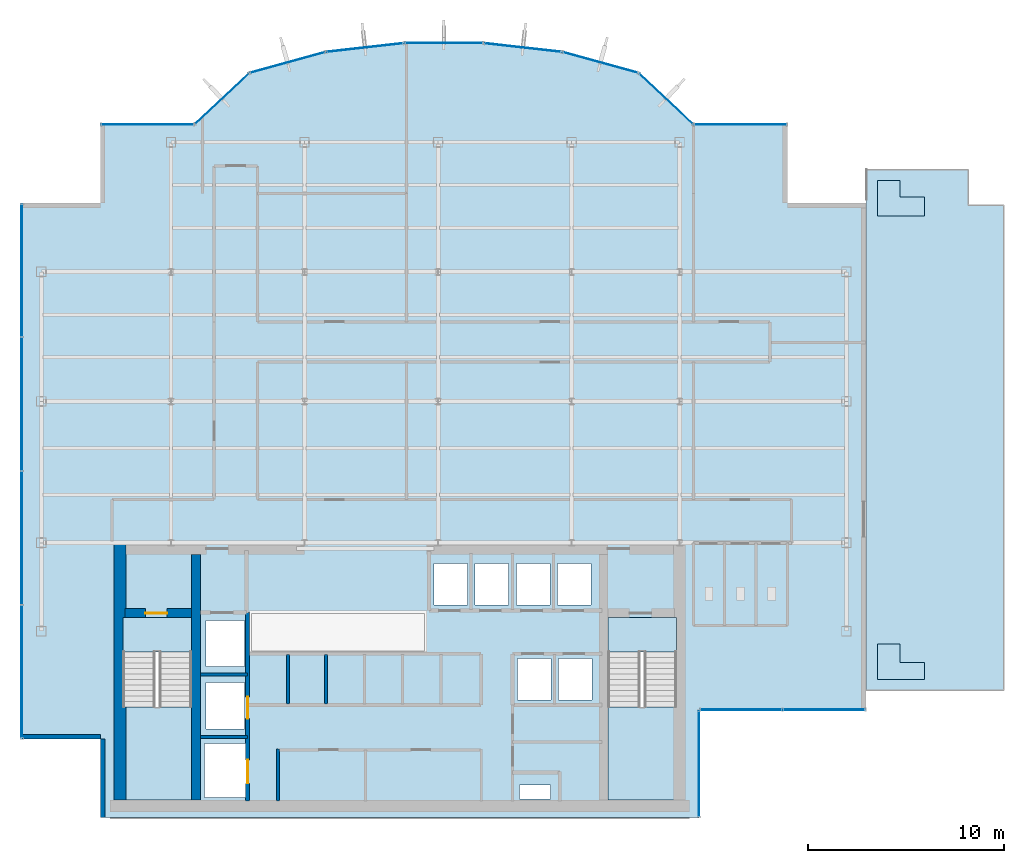
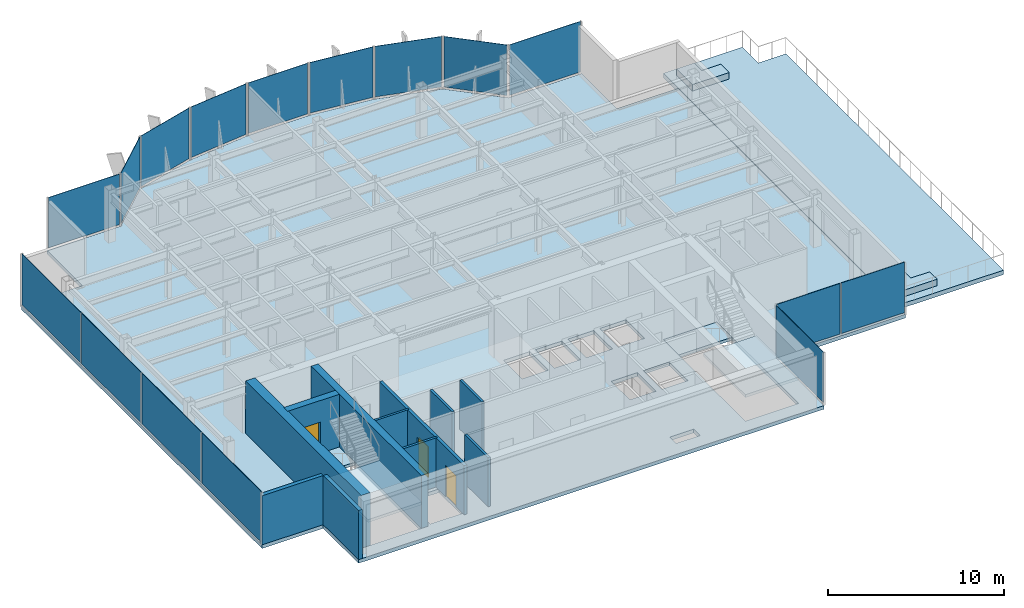
# One storey, part 15 of 21: 16 plates, 11 walls, 8 slabs, 3 doors, 3 openings, 14 elements without a shape of their own.
"""IFC4 building model written with IfcOpenShell, lengths in metres."""

from ifc_helpers import new_model, si_unit, derived_unit, direction, frame, frame_2d, origin, origin_2d, place, context, subcontext, project, spatial, polyline, rectangle, outline, extrude, source, transform, mapped, material, layer, layer_set, type_object, element, fill, aggregate, save


model = new_model("IFC4")

# Units and contexts
model_context = context("Model", 3, precision=1e-05, world=origin(), true_north=direction((0.0, 1.0)))
body_context = subcontext(model_context, "Body", "Model", "MODEL_VIEW")
ifc_project = project(units=[si_unit("LENGTHUNIT", "METRE"), si_unit("AREAUNIT", "SQUARE_METRE"), si_unit("VOLUMEUNIT", "CUBIC_METRE"), si_unit("PLANEANGLEUNIT", "RADIAN"), si_unit("MASSUNIT", "GRAM", prefix="KILO"), derived_unit("THERMALTRANSMITTANCEUNIT", [(si_unit("POWERUNIT", "WATT"), 1), (si_unit("LENGTHUNIT", "METRE"), -2), (si_unit("THERMODYNAMICTEMPERATUREUNIT", "KELVIN"), -1)])], contexts=[model_context])

# Site, building, storey
site_placement = place(None, origin())
site = spatial("IfcSite", under=ifc_project, at=site_placement, CompositionType="ELEMENT")
building_placement = place(site_placement, origin())
building = spatial("IfcBuilding", under=site, at=building_placement, Name="Skarnbrae Concourse Arena and Tower", CompositionType="ELEMENT")
storey_placement = place(building_placement, frame((0.0, 0.0, 188.60009765625)))
storey = spatial("IfcBuildingStorey", under=building, at=storey_placement, Name="L48", CompositionType="ELEMENT", Elevation=188.60009765625)

# Stair, slab
ifc_material_1 = material(Name="Concrete 40 MPa (C40/50)", Category="concrete")
stair_type = type_object("IfcStairType", Name="STAIR-DOGLEG-1650", PredefinedType="HALF_TURN_STAIR", material=ifc_material_1)
stair_1_placement = place(storey_placement, origin())
stair_1 = element("IfcStair", 1, at=stair_1_placement, inside=storey, type_object=stair_type, Name="L48 Protected Exit Stair ST-1", PredefinedType="HALF_TURN_STAIR")
ifc_layer_1 = layer(ifc_material_1, 0.199951171875)
ifc_layer_set_1 = layer_set([ifc_layer_1], Name="Concrete 40 MPa (C40/50)")
slab_type_1 = type_object("IfcSlabType", Name="SLAB-LANDING-200", PredefinedType="LANDING", material=ifc_layer_set_1)
slab_1_placement = place(storey_placement, frame((0.0, 0.0, 1.625)))
slab_1 = element("IfcSlab", 2, at=slab_1_placement, type_object=slab_type_1, Name="ST-1 landing 1", PredefinedType="LANDING", context=body_context, shape_type="SweptSolid", body=[
    extrude(outline(polyline([(5.14990234375, 5.64990234375), (5.14990234375, 0.89990234375), (8.64990234375, 0.89990234375), (8.64990234375, 5.64990234375), (5.14990234375, 5.64990234375)])), origin(), (0.0, 0.0, 1.0), 0.199951171875),
])
aggregate(stair_1, [slab_1])

stair_2_placement = place(storey_placement, origin())
stair_2 = element("IfcStair", 3, at=stair_2_placement, inside=storey, type_object=stair_type, Name="L48 Protected Exit Stair ST-2", PredefinedType="HALF_TURN_STAIR")
slab_2_placement = place(storey_placement, frame((0.0, 0.0, 1.625)))
slab_2 = element("IfcSlab", 4, at=slab_2_placement, type_object=slab_type_1, Name="ST-2 landing 1", PredefinedType="LANDING", context=body_context, shape_type="SweptSolid", body=[
    extrude(outline(polyline([(29.85009765625, 5.64990234375), (29.85009765625, 0.89990234375), (33.35009765625, 0.89990234375), (33.35009765625, 5.64990234375), (29.85009765625, 5.64990234375)])), origin(), (0.0, 0.0, 1.0), 0.199951171875),
])
aggregate(stair_2, [slab_2])

# Slabs
slab_3_placement = place(storey_placement, frame((0.0, 0.0, -0.2001953125)))
element("IfcSlab", 5, at=slab_3_placement, inside=storey, type_object=slab_type_1, Name="L48 Core stair ST1 floor landing", PredefinedType="LANDING", context=body_context, shape_type="SweptSolid", body=[
    extrude(outline(polyline([(5.14990234375, 10.199951171875), (5.14990234375, 8.449951171875), (8.64990234375, 8.449951171875), (8.64990234375, 10.199951171875), (5.14990234375, 10.199951171875)])), origin(), (0.0, 0.0, 1.0), 0.2001953125),
])
slab_4_placement = place(storey_placement, frame((0.0, 0.0, -0.2001953125)))
element("IfcSlab", 6, at=slab_4_placement, inside=storey, type_object=slab_type_1, Name="L48 Core stair ST2 floor landing", PredefinedType="LANDING", context=body_context, shape_type="SweptSolid", body=[
    extrude(outline(polyline([(29.85009765625, 10.199951171875), (29.85009765625, 8.449951171875), (33.35009765625, 8.449951171875), (33.35009765625, 10.199951171875), (29.85009765625, 10.199951171875)])), origin(), (0.0, 0.0, 1.0), 0.2001953125),
])
ifc_layer_2 = layer(ifc_material_1, 0.449951171875)
ifc_layer_set_2 = layer_set([ifc_layer_2], Name="Concrete 40 MPa (C40/50)")
slab_type_2 = type_object("IfcSlabType", Name="SLAB-PLANTER-450", PredefinedType="USERDEFINED", material=ifc_layer_set_2)
slab_5_placement = place(storey_placement, origin())
element("IfcSlab", 7, at=slab_5_placement, inside=storey, type_object=slab_type_2, Name="L48 Setback terrace L-shaped planter bed 01", ObjectType="PLANTER", PredefinedType="USERDEFINED", context=body_context, shape_type="SweptSolid", body=[
    extrude(outline(polyline([(43.570068359375, 7.050048828125), (45.969970703125, 7.050048828125), (45.969970703125, 7.89990234375), (44.719970703125, 7.89990234375), (44.719970703125, 8.85009765625), (43.570068359375, 8.85009765625), (43.570068359375, 7.050048828125)])), origin(), (0.0, 0.0, 1.0), 0.449951171875),
])
slab_6_placement = place(storey_placement, origin())
element("IfcSlab", 8, at=slab_6_placement, inside=storey, type_object=slab_type_2, Name="L48 Setback terrace L-shaped planter bed 02", ObjectType="PLANTER", PredefinedType="USERDEFINED", context=body_context, shape_type="SweptSolid", body=[
    extrude(outline(polyline([(43.570068359375, 30.64990234375), (45.969970703125, 30.64990234375), (45.969970703125, 31.60009765625), (44.719970703125, 31.60009765625), (44.719970703125, 32.449951171875), (43.570068359375, 32.449951171875), (43.570068359375, 30.64990234375)])), origin(), (0.0, 0.0, 1.0), 0.449951171875),
])
ifc_layer_3 = layer(ifc_material_1, 0.300048828125)
ifc_layer_set_3 = layer_set([ifc_layer_3], Name="Concrete 40 MPa (C40/50)")
slab_type_3 = type_object("IfcSlabType", Name="SLAB-TERRACE-300", PredefinedType="FLOOR", material=ifc_layer_set_3)
slab_7_placement = place(storey_placement, frame((0.0, 0.0, -0.300048828125)))
element("IfcSlab", 9, at=slab_7_placement, inside=storey, type_object=slab_type_3, Name="L48 Outdoor asymmetric setback terrace slab", PredefinedType="FLOOR", context=body_context, shape_type="SweptSolid", body=[
    extrude(outline(polyline([(43.02001953125, 6.5), (50.0, 6.5), (50.0, 31.199951171875), (48.199951171875, 31.199951171875), (48.199951171875, 33.0), (43.02001953125, 33.0), (43.02001953125, 6.5)])), origin(), (0.0, 0.0, 1.0), 0.300048828125),
])
ifc_layer_4 = layer(ifc_material_1, 0.25)
ifc_layer_set_4 = layer_set([ifc_layer_4], Name="Concrete 40 MPa (C40/50)")
slab_type_4 = type_object("IfcSlabType", Name="SLAB-TOWER-250", PredefinedType="FLOOR", material=ifc_layer_set_4)
slab_8_placement = place(storey_placement, frame((0.0, 0.0, -0.25)))
element("IfcSlab", 10, at=slab_8_placement, inside=storey, type_object=slab_type_4, Name="L48 Structural floor slab", PredefinedType="FLOOR", context=body_context, shape_type="SweptSolid", body=[
    extrude(outline(polyline([(4.0, 0.0), (34.5, 0.0), (34.5, 5.5), (43.0, 5.5), (43.0, 31.300048828125), (39.0, 31.300048828125), (39.0, 35.300048828125), (34.199951171875, 35.300048828125), (31.40966796875, 37.9267578125), (27.52587890625, 38.9970703125), (23.51708984375, 39.44677734375), (19.48291015625, 39.44677734375), (15.47412109375, 38.9970703125), (11.59033203125, 37.9267578125), (8.800048828125, 35.300048828125), (4.0, 35.300048828125), (4.0, 31.300048828125), (0.0, 31.300048828125), (0.0, 4.0), (4.0, 4.0), (4.0, 0.0)]), holes=[polyline([(9.294921875, 1.02001953125), (9.294921875, 3.780029296875), (11.455078125, 3.780029296875), (11.455078125, 1.02001953125), (9.294921875, 1.02001953125)]), polyline([(8.64990234375, 10.199951171875), (8.64990234375, 0.89990234375), (5.14990234375, 0.89990234375), (5.14990234375, 10.199951171875), (8.64990234375, 10.199951171875)]), polyline([(9.39501953125, 6.8798828125), (11.35498046875, 6.8798828125), (11.35498046875, 4.52001953125), (9.39501953125, 4.52001953125), (9.39501953125, 6.8798828125)]), polyline([(9.39501953125, 7.695068359375), (9.39501953125, 10.054931640625), (11.35498046875, 10.054931640625), (11.35498046875, 7.695068359375), (9.39501953125, 7.695068359375)]), polyline([(20.985107421875, 12.955078125), (22.695068359375, 12.955078125), (22.695068359375, 10.844970703125), (20.985107421875, 10.844970703125), (20.985107421875, 12.955078125)]), polyline([(23.0849609375, 12.955078125), (24.794921875, 12.955078125), (24.794921875, 10.844970703125), (23.0849609375, 10.844970703125), (23.0849609375, 12.955078125)]), polyline([(25.35009765625, 0.949951171875), (25.35009765625, 1.669921875), (26.919921875, 1.669921875), (26.919921875, 0.949951171875), (25.35009765625, 0.949951171875)]), polyline([(33.35009765625, 10.199951171875), (33.35009765625, 0.89990234375), (29.85009765625, 0.89990234375), (29.85009765625, 10.199951171875), (33.35009765625, 10.199951171875)]), polyline([(25.235107421875, 8.10498046875), (26.945068359375, 8.10498046875), (26.945068359375, 5.9951171875), (25.235107421875, 5.9951171875), (25.235107421875, 8.10498046875)]), polyline([(27.3349609375, 5.9951171875), (27.3349609375, 8.10498046875), (29.044921875, 8.10498046875), (29.044921875, 5.9951171875), (27.3349609375, 5.9951171875)]), polyline([(25.18505859375, 12.955078125), (26.89501953125, 12.955078125), (26.89501953125, 10.844970703125), (25.18505859375, 10.844970703125), (25.18505859375, 12.955078125)]), polyline([(27.284912109375, 12.955078125), (28.9951171875, 12.955078125), (28.9951171875, 10.844970703125), (27.284912109375, 10.844970703125), (27.284912109375, 12.955078125)])]), origin(), (0.0, 0.0, 1.0), 0.25),
])

# Curtain wall, plate
ifc_material_2 = material(Name="Bronze anodised aluminium 6063-T6", Category="aluminium")
curtain_wall_type = type_object("IfcCurtainWallType", Name="CW-SYS-05-HIGHZONE", PredefinedType="USERDEFINED", material=ifc_material_2)
curtain_wall_1_placement = place(storey_placement, origin())
curtain_wall_1 = element("IfcCurtainWall", 11, at=curtain_wall_1_placement, inside=storey, type_object=curtain_wall_type, Name="L48 Unitised curtain wall CW-L48-E02", ObjectType="UNITISED CURTAIN WALL", PredefinedType="USERDEFINED")
ifc_material_3 = material(Name="Low-E triple insulating glass", Category="glass")
ifc_layer_5 = layer(ifc_material_3, 0.030029296875)
ifc_layer_set_5 = layer_set([ifc_layer_5], Name="Low-E triple insulating glass")
plate_type = type_object("IfcPlateType", Name="CWP-CW-05", PredefinedType="CURTAIN_PANEL", material=ifc_layer_set_5)
shared_shape_1 = source(origin(), body_context, "Body", "SweptSolid", [
    extrude(rectangle(XDim=5.35009765625, YDim=0.030029296875, at=origin_2d()), origin(), (0.0, 0.0, 1.0), 3.5),
])
plate_1_placement = place(storey_placement, frame((34.5, 2.75, 0.14990234375), z_axis=(0.0, 0.0, 1.0), x_axis=(0.0, 1.0, 0.0)))
plate_1 = element("IfcPlate", 12, at=plate_1_placement, type_object=plate_type, Name="CW-L48-E02 Low-E Glazing Panel 1", PredefinedType="CURTAIN_PANEL", context=body_context, shape_type="MappedRepresentation", body=[
    mapped(shared_shape_1, transform((0.0, 0.0, 0.0))),
])
aggregate(curtain_wall_1, [plate_1])

# Curtain wall, plates
curtain_wall_2_placement = place(storey_placement, origin())
curtain_wall_2 = element("IfcCurtainWall", 13, at=curtain_wall_2_placement, inside=storey, type_object=curtain_wall_type, Name="L48 Unitised curtain wall CW-L48-E03", ObjectType="UNITISED CURTAIN WALL", PredefinedType="USERDEFINED")
shared_shape_2 = source(origin(), body_context, "Body", "SweptSolid", [
    extrude(rectangle(XDim=4.137451171875, YDim=0.030029296875, at=origin_2d()), origin(), (0.0, 0.0, 1.0), 3.5),
])
plate_2_placement = place(storey_placement, frame((36.643798828125, 5.5, 0.14990234375), z_axis=(0.0, 0.0, 1.0), x_axis=(1.0, 0.0, 0.0)))
plate_2 = element("IfcPlate", 14, at=plate_2_placement, type_object=plate_type, Name="CW-L48-E03 Low-E Glazing Panel 1", PredefinedType="CURTAIN_PANEL", context=body_context, shape_type="MappedRepresentation", body=[
    mapped(shared_shape_2, transform((0.0, 0.0, 0.0))),
])
plate_3_placement = place(storey_placement, frame((40.856201171875, 5.5, 0.14990234375), z_axis=(0.0, 0.0, 1.0), x_axis=(1.0, 0.0, 0.0)))
plate_3 = element("IfcPlate", 15, at=plate_3_placement, type_object=plate_type, Name="CW-L48-E03 Low-E Glazing Panel 2", PredefinedType="CURTAIN_PANEL", context=body_context, shape_type="MappedRepresentation", body=[
    mapped(shared_shape_2, transform((0.0, 0.0, 0.0))),
])
aggregate(curtain_wall_2, [plate_2, plate_3])

# Curtain wall, plate
curtain_wall_3_placement = place(storey_placement, origin())
curtain_wall_3 = element("IfcCurtainWall", 16, at=curtain_wall_3_placement, inside=storey, type_object=curtain_wall_type, Name="L48 Unitised curtain wall CW-L48-E07", ObjectType="UNITISED CURTAIN WALL", PredefinedType="USERDEFINED")
shared_shape_3 = source(origin(), body_context, "Body", "SweptSolid", [
    extrude(rectangle(XDim=4.64990234375, YDim=0.030029296875, at=origin_2d()), origin(), (0.0, 0.0, 1.0), 3.5),
])
plate_4_placement = place(storey_placement, frame((36.60009765625, 35.300048828125, 0.14990234375), z_axis=(0.0, 0.0, 1.0), x_axis=(-1.0, 0.0, 0.0)))
plate_4 = element("IfcPlate", 17, at=plate_4_placement, type_object=plate_type, Name="CW-L48-E07 Low-E Glazing Panel 1", PredefinedType="CURTAIN_PANEL", context=body_context, shape_type="MappedRepresentation", body=[
    mapped(shared_shape_3, transform((0.0, 0.0, 0.0))),
])
aggregate(curtain_wall_3, [plate_4])

curtain_wall_4_placement = place(storey_placement, origin())
curtain_wall_4 = element("IfcCurtainWall", 18, at=curtain_wall_4_placement, inside=storey, type_object=curtain_wall_type, Name="L48 Unitised curtain wall CW-L48-E15", ObjectType="UNITISED CURTAIN WALL", PredefinedType="USERDEFINED")
plate_5_placement = place(storey_placement, frame((6.39990234375, 35.300048828125, 0.14990234375), z_axis=(0.0, 0.0, 1.0), x_axis=(-1.0, 0.0, 0.0)))
plate_5 = element("IfcPlate", 19, at=plate_5_placement, type_object=plate_type, Name="CW-L48-E15 Low-E Glazing Panel 1", PredefinedType="CURTAIN_PANEL", context=body_context, shape_type="MappedRepresentation", body=[
    mapped(shared_shape_3, transform((0.0, 0.0, 0.0))),
])
aggregate(curtain_wall_4, [plate_5])

curtain_wall_5_placement = place(storey_placement, origin())
curtain_wall_5 = element("IfcCurtainWall", 20, at=curtain_wall_5_placement, inside=storey, type_object=curtain_wall_type, Name="L48 Unitised curtain wall CW-L48-E08", ObjectType="UNITISED CURTAIN WALL", PredefinedType="USERDEFINED")
shared_shape_4 = source(origin(), body_context, "Body", "SweptSolid", [
    extrude(rectangle(XDim=3.68212890625, YDim=0.030029296875, at=origin_2d()), origin(), (0.0, 0.0, 1.0), 3.5),
])
plate_6_placement = place(storey_placement, frame((32.804931640625, 36.61328125, 0.14990234375), z_axis=(0.0, 0.0, 1.0), x_axis=(-0.728130555214, 0.685438468838, 0.0)))
plate_6 = element("IfcPlate", 21, at=plate_6_placement, type_object=plate_type, Name="CW-L48-E08 Low-E Glazing Panel 1", PredefinedType="CURTAIN_PANEL", context=body_context, shape_type="MappedRepresentation", body=[
    mapped(shared_shape_4, transform((0.0, 0.0, 0.0))),
])
aggregate(curtain_wall_5, [plate_6])

curtain_wall_6_placement = place(storey_placement, origin())
curtain_wall_6 = element("IfcCurtainWall", 22, at=curtain_wall_6_placement, inside=storey, type_object=curtain_wall_type, Name="L48 Unitised curtain wall CW-L48-E14", ObjectType="UNITISED CURTAIN WALL", PredefinedType="USERDEFINED")
plate_7_placement = place(storey_placement, frame((10.195068359375, 36.61328125, 0.14990234375), z_axis=(0.0, 0.0, 1.0), x_axis=(-0.728130555214, -0.685438468838, 0.0)))
plate_7 = element("IfcPlate", 23, at=plate_7_placement, type_object=plate_type, Name="CW-L48-E14 Low-E Glazing Panel 1", PredefinedType="CURTAIN_PANEL", context=body_context, shape_type="MappedRepresentation", body=[
    mapped(shared_shape_4, transform((0.0, 0.0, 0.0))),
])
aggregate(curtain_wall_6, [plate_7])

curtain_wall_7_placement = place(storey_placement, origin())
curtain_wall_7 = element("IfcCurtainWall", 24, at=curtain_wall_7_placement, inside=storey, type_object=curtain_wall_type, Name="L48 Unitised curtain wall CW-L48-E09", ObjectType="UNITISED CURTAIN WALL", PredefinedType="USERDEFINED")
shared_shape_5 = source(origin(), body_context, "Body", "SweptSolid", [
    extrude(rectangle(XDim=3.878662109375, YDim=0.030029296875, at=origin_2d()), origin(), (0.0, 0.0, 1.0), 3.5),
])
plate_8_placement = place(storey_placement, frame((29.4677734375, 38.4619140625, 0.14990234375), z_axis=(0.0, 0.0, 1.0), x_axis=(-0.964057388766, 0.265694093207, 0.0)))
plate_8 = element("IfcPlate", 25, at=plate_8_placement, type_object=plate_type, Name="CW-L48-E09 Low-E Glazing Panel 1", PredefinedType="CURTAIN_PANEL", context=body_context, shape_type="MappedRepresentation", body=[
    mapped(shared_shape_5, transform((0.0, 0.0, 0.0))),
])
aggregate(curtain_wall_7, [plate_8])

curtain_wall_8_placement = place(storey_placement, origin())
curtain_wall_8 = element("IfcCurtainWall", 26, at=curtain_wall_8_placement, inside=storey, type_object=curtain_wall_type, Name="L48 Unitised curtain wall CW-L48-E13", ObjectType="UNITISED CURTAIN WALL", PredefinedType="USERDEFINED")
plate_9_placement = place(storey_placement, frame((13.5322265625, 38.4619140625, 0.14990234375), z_axis=(0.0, 0.0, 1.0), x_axis=(-0.964057388766, -0.265694093207, 0.0)))
plate_9 = element("IfcPlate", 27, at=plate_9_placement, type_object=plate_type, Name="CW-L48-E13 Low-E Glazing Panel 1", PredefinedType="CURTAIN_PANEL", context=body_context, shape_type="MappedRepresentation", body=[
    mapped(shared_shape_5, transform((0.0, 0.0, 0.0))),
])
aggregate(curtain_wall_8, [plate_9])

curtain_wall_9_placement = place(storey_placement, origin())
curtain_wall_9 = element("IfcCurtainWall", 28, at=curtain_wall_9_placement, inside=storey, type_object=curtain_wall_type, Name="L48 Unitised curtain wall CW-L48-E10", ObjectType="UNITISED CURTAIN WALL", PredefinedType="USERDEFINED")
shared_shape_6 = source(origin(), body_context, "Body", "SweptSolid", [
    extrude(rectangle(XDim=3.8837890625, YDim=0.030029296875, at=origin_2d()), origin(), (0.0, 0.0, 1.0), 3.5),
])
plate_10_placement = place(storey_placement, frame((25.521484375, 39.221923828125, 0.14990234375), z_axis=(0.0, 0.0, 1.0), x_axis=(-0.993768891873, 0.111460259941, 0.0)))
plate_10 = element("IfcPlate", 29, at=plate_10_placement, type_object=plate_type, Name="CW-L48-E10 Low-E Glazing Panel 1", PredefinedType="CURTAIN_PANEL", context=body_context, shape_type="MappedRepresentation", body=[
    mapped(shared_shape_6, transform((0.0, 0.0, 0.0))),
])
aggregate(curtain_wall_9, [plate_10])

curtain_wall_10_placement = place(storey_placement, origin())
curtain_wall_10 = element("IfcCurtainWall", 30, at=curtain_wall_10_placement, inside=storey, type_object=curtain_wall_type, Name="L48 Unitised curtain wall CW-L48-E12", ObjectType="UNITISED CURTAIN WALL", PredefinedType="USERDEFINED")
plate_11_placement = place(storey_placement, frame((17.478515625, 39.221923828125, 0.14990234375), z_axis=(0.0, 0.0, 1.0), x_axis=(-0.993768891873, -0.111460259941, 0.0)))
plate_11 = element("IfcPlate", 31, at=plate_11_placement, type_object=plate_type, Name="CW-L48-E12 Low-E Glazing Panel 1", PredefinedType="CURTAIN_PANEL", context=body_context, shape_type="MappedRepresentation", body=[
    mapped(shared_shape_6, transform((0.0, 0.0, 0.0))),
])
aggregate(curtain_wall_10, [plate_11])

curtain_wall_11_placement = place(storey_placement, origin())
curtain_wall_11 = element("IfcCurtainWall", 32, at=curtain_wall_11_placement, inside=storey, type_object=curtain_wall_type, Name="L48 Unitised curtain wall CW-L48-E11", ObjectType="UNITISED CURTAIN WALL", PredefinedType="USERDEFINED")
shared_shape_7 = source(origin(), body_context, "Body", "SweptSolid", [
    extrude(rectangle(XDim=3.884521484375, YDim=0.030029296875, at=origin_2d()), origin(), (0.0, 0.0, 1.0), 3.5),
])
plate_12_placement = place(storey_placement, frame((21.5, 39.44677734375, 0.14990234375), z_axis=(0.0, 0.0, 1.0), x_axis=(-1.0, 0.0, 0.0)))
plate_12 = element("IfcPlate", 33, at=plate_12_placement, type_object=plate_type, Name="CW-L48-E11 Low-E Glazing Panel 1", PredefinedType="CURTAIN_PANEL", context=body_context, shape_type="MappedRepresentation", body=[
    mapped(shared_shape_7, transform((0.0, 0.0, 0.0))),
])
aggregate(curtain_wall_11, [plate_12])

# Curtain wall, plates
curtain_wall_12_placement = place(storey_placement, origin())
curtain_wall_12 = element("IfcCurtainWall", 34, at=curtain_wall_12_placement, inside=storey, type_object=curtain_wall_type, Name="L48 Unitised curtain wall CW-L48-E18", ObjectType="UNITISED CURTAIN WALL", PredefinedType="USERDEFINED")
shared_shape_8 = source(origin(), body_context, "Body", "SweptSolid", [
    extrude(rectangle(XDim=6.71240234375, YDim=0.030029296875, at=origin_2d()), origin(), (0.0, 0.0, 1.0), 3.5),
])
plate_13_placement = place(storey_placement, frame((0.0, 27.86865234375, 0.14990234375), z_axis=(0.0, 0.0, 1.0), x_axis=(0.0, -1.0, 0.0)))
plate_13 = element("IfcPlate", 35, at=plate_13_placement, type_object=plate_type, Name="CW-L48-E18 Low-E Glazing Panel 1", PredefinedType="CURTAIN_PANEL", context=body_context, shape_type="MappedRepresentation", body=[
    mapped(shared_shape_8, transform((0.0, 0.0, 0.0))),
])
plate_14_placement = place(storey_placement, frame((0.0, 7.431396484375, 0.14990234375), z_axis=(0.0, 0.0, 1.0), x_axis=(0.0, -1.0, 0.0)))
plate_14 = element("IfcPlate", 36, at=plate_14_placement, type_object=plate_type, Name="CW-L48-E18 Low-E Glazing Panel 4", PredefinedType="CURTAIN_PANEL", context=body_context, shape_type="MappedRepresentation", body=[
    mapped(shared_shape_8, transform((0.0, 0.0, 0.0))),
])
shared_shape_9 = source(origin(), body_context, "Body", "SweptSolid", [
    extrude(rectangle(XDim=6.75, YDim=0.030029296875, at=origin_2d()), origin(), (0.0, 0.0, 1.0), 3.5),
])
plate_15_placement = place(storey_placement, frame((0.0, 21.0625, 0.14990234375), z_axis=(0.0, 0.0, 1.0), x_axis=(0.0, -1.0, 0.0)))
plate_15 = element("IfcPlate", 37, at=plate_15_placement, type_object=plate_type, Name="CW-L48-E18 Low-E Glazing Panel 2", PredefinedType="CURTAIN_PANEL", context=body_context, shape_type="MappedRepresentation", body=[
    mapped(shared_shape_9, transform((0.0, 0.0, 0.0))),
])
plate_16_placement = place(storey_placement, frame((0.0, 14.237548828125, 0.14990234375), z_axis=(0.0, 0.0, 1.0), x_axis=(0.0, -1.0, 0.0)))
plate_16 = element("IfcPlate", 38, at=plate_16_placement, type_object=plate_type, Name="CW-L48-E18 Low-E Glazing Panel 3", PredefinedType="CURTAIN_PANEL", context=body_context, shape_type="MappedRepresentation", body=[
    mapped(shared_shape_9, transform((0.0, 0.0, 0.0))),
])
aggregate(curtain_wall_12, [plate_13, plate_15, plate_16, plate_14])

# Wall, opening, door
ifc_material_4 = material(Name="Concrete 50 MPa (C50/60)", Category="concrete")
ifc_layer_6 = layer(ifc_material_4, 0.449951171875)
ifc_layer_set_6 = layer_set([ifc_layer_6], Name="Concrete 50 MPa (C50/60)")
wall_type_1 = type_object("IfcWallType", Name="WALL-CORE-450-C50", PredefinedType="SHEAR", material=ifc_layer_set_6)
shared_shape_10 = source(origin(), body_context, "Body", "SweptSolid", [
    extrude(rectangle(XDim=3.389892578125, YDim=0.449951171875, at=frame_2d((1.69482421875, 0.0))), origin(), (0.0, 0.0, 1.0), 3.64990234375),
])
wall_1_placement = place(storey_placement, frame((5.25, 10.419921875, 0.0), z_axis=(0.0, 0.0, 1.0), x_axis=(1.0, 0.0, 0.0)))
wall_1 = element("IfcWall", 39, at=wall_1_placement, inside=storey, type_object=wall_type_1, Name="L48 Rear core shear wall CW-ST1-N", PredefinedType="SHEAR", context=body_context, shape_type="MappedRepresentation", body=[
    mapped(shared_shape_10, transform((0.0, 0.0, 0.0))),
])
opening_1_placement = place(wall_1_placement, frame((1.050048828125, 0.0, 0.0)))
opening_1 = element("IfcOpeningElement", 40, at=opening_1_placement, cuts=wall_1, Name="Opening DT-03", PredefinedType="OPENING", context=body_context, shape_type="SweptSolid", body=[
    extrude(rectangle(XDim=1.10009765625, YDim=2.14990234375, at=frame_2d((0.550048828125, 1.074951171875))), frame((0.0, 0.23486328125, 0.0), z_axis=(0.0, -1.0, 0.0), x_axis=(1.0, 0.0, 0.0)), (0.0, 0.0, 1.0), 0.469970703125),
])
ifc_material_5 = material(Name="Steel CSA G40.21 350W", Category="steel")
door_type_1 = type_object("IfcDoorType", Name="DOOR-FIRE-1100-90M", OperationType="NOTDEFINED", PredefinedType="DOOR", material=ifc_material_5)
shared_shape_11 = source(origin(), body_context, "Body", "SweptSolid", [
    extrude(rectangle(XDim=1.10009765625, YDim=2.14990234375, at=frame_2d((0.550048828125, 1.074951171875))), frame((0.0, 0.02490234375, 0.0), z_axis=(0.0, -1.0, 0.0), x_axis=(1.0, 0.0, 0.0)), (0.0, 0.0, 1.0), 0.050048828125),
])
door_1_placement = place(opening_1_placement, frame((1.10009765625, 0.0, 0.0), z_axis=(0.0, 0.0, 1.0), x_axis=(-1.0, 0.0, 0.0)))
door_1 = element("IfcDoor", 41, at=door_1_placement, inside=storey, type_object=door_type_1, Name="D-1467 Stair ST-1 Door", OperationType="SINGLE_SWING_LEFT", OverallHeight=2.14990234375, OverallWidth=1.10009765625, PredefinedType="DOOR", context=body_context, shape_type="MappedRepresentation", body=[
    mapped(shared_shape_11, transform((0.0, 0.0, 0.0))),
])
fill(opening_1, door_1)

# Walls
ifc_layer_7 = layer(ifc_material_4, 0.60009765625)
ifc_layer_set_7 = layer_set([ifc_layer_7], Name="Concrete 50 MPa (C50/60)")
wall_type_2 = type_object("IfcWallType", Name="WALL-CORE-600-C50", PredefinedType="SHEAR", material=ifc_layer_set_7)
shared_shape_12 = source(origin(), body_context, "Body", "SweptSolid", [
    extrude(rectangle(XDim=13.10009765625, YDim=0.60009765625, at=frame_2d((6.550048828125, 0.0))), origin(), (0.0, 0.0, 1.0), 3.64990234375),
])
wall_2_placement = place(storey_placement, frame((5.0, 0.89990234375, 0.0), z_axis=(0.0, 0.0, 1.0), x_axis=(0.0, 1.0, 0.0)))
element("IfcWall", 42, at=wall_2_placement, inside=storey, type_object=wall_type_2, Name="L48 Rear core shear wall CW-W", PredefinedType="SHEAR", context=body_context, shape_type="MappedRepresentation", body=[
    mapped(shared_shape_12, transform((0.0, 0.0, 0.0))),
])
shared_shape_13 = source(origin(), body_context, "Body", "SweptSolid", [
    extrude(rectangle(XDim=12.5, YDim=0.449951171875, at=frame_2d((6.25, 0.0))), origin(), (0.0, 0.0, 1.0), 3.64990234375),
])
wall_3_placement = place(storey_placement, frame((8.864990234375, 0.89990234375, 0.0), z_axis=(0.0, 0.0, 1.0), x_axis=(0.0, 1.0, 0.0)))
element("IfcWall", 43, at=wall_3_placement, inside=storey, type_object=wall_type_1, Name="L48 Rear core shear wall CW-WEB-W", PredefinedType="SHEAR", context=body_context, shape_type="MappedRepresentation", body=[
    mapped(shared_shape_13, transform((0.0, 0.0, 0.0))),
])
ifc_material_6 = material(Name="Precast concrete 40 MPa (C40/50)", Category="concrete")
ifc_layer_8 = layer(ifc_material_6, 0.25)
ifc_layer_set_8 = layer_set([ifc_layer_8], Name="Precast concrete 40 MPa (C40/50)")
wall_type_3 = type_object("IfcWallType", Name="WALL-EXT-SPANDREL-250", PredefinedType="STANDARD", material=ifc_layer_set_8)
shared_shape_14 = source(origin(), body_context, "Body", "SweptSolid", [
    extrude(rectangle(XDim=4.0, YDim=0.25, at=frame_2d((2.0, 0.0))), origin(), (0.0, 0.0, 1.0), 3.39990234375),
])
for number, where, z_axis, x_axis, name in (
    (44, (0.0, 4.125, 0.0), (0.0, 0.0, 1.0), (1.0, 0.0, 0.0), "L48 Notched corner insulated return wall 19"),
    (45, (4.125, 4.0, 0.0), (0.0, 0.0, 1.0), (0.0, -1.0, 0.0), "L48 Notched corner insulated return wall 20"),
):
    element("IfcWall", number, at=place(storey_placement, frame(where, z_axis=z_axis, x_axis=x_axis)), inside=storey, type_object=wall_type_3, Name=name, PredefinedType="STANDARD", context=body_context, shape_type="MappedRepresentation", body=[
        mapped(shared_shape_14, transform((0.0, 0.0, 0.0))),
    ])

# Wall, openings, doors
ifc_material_7 = material(Name="Gypsum board on cold-formed steel studs", Category="steel")
ifc_layer_9 = layer(ifc_material_7, 0.199951171875)
ifc_layer_set_9 = layer_set([ifc_layer_9], Name="Gypsum board on cold-formed steel studs")
wall_type_4 = type_object("IfcWallType", Name="WALL-PART-200-2HR", PredefinedType="PARTITIONING", material=ifc_layer_set_9)
shared_shape_15 = source(origin(), body_context, "Body", "SweptSolid", [
    extrude(rectangle(XDim=9.599853515625, YDim=0.199951171875, at=frame_2d((4.7998046875, 0.0))), origin(), (0.0, 0.0, 1.0), 3.39990234375),
])
wall_4_placement = place(storey_placement, frame((11.5, 0.85009765625, 0.0), z_axis=(0.0, 0.0, 1.0), x_axis=(0.0, 1.0, 0.0)))
wall_4 = element("IfcWall", 46, at=wall_4_placement, inside=storey, type_object=wall_type_4, Name="L48 Interior partition wall W-L48-FL-E", PredefinedType="PARTITIONING", context=body_context, shape_type="MappedRepresentation", body=[
    mapped(shared_shape_15, transform((0.0, 0.0, 0.0))),
])
opening_2_placement = place(wall_4_placement, frame((4.199951171875, 0.0, 0.0)))
opening_2 = element("IfcOpeningElement", 47, at=opening_2_placement, cuts=wall_4, Name="Opening LD-01", PredefinedType="OPENING", context=body_context, shape_type="SweptSolid", body=[
    extrude(rectangle(XDim=1.10009765625, YDim=2.14990234375, at=frame_2d((0.550048828125, 1.074951171875))), frame((0.0, 0.10986328125, 0.0), z_axis=(0.0, -1.0, 0.0), x_axis=(1.0, 0.0, 0.0)), (0.0, 0.0, 1.0), 0.219970703125),
])
opening_3_placement = place(wall_4_placement, frame((0.89990234375, 0.0, 0.0)))
opening_3 = element("IfcOpeningElement", 48, at=opening_3_placement, cuts=wall_4, Name="Opening LD-02", PredefinedType="OPENING", context=body_context, shape_type="SweptSolid", body=[
    extrude(rectangle(XDim=1.199951171875, YDim=2.14990234375, at=frame_2d((0.60009765625, 1.074951171875))), frame((0.0, 0.10986328125, 0.0), z_axis=(0.0, -1.0, 0.0), x_axis=(1.0, 0.0, 0.0)), (0.0, 0.0, 1.0), 0.219970703125),
])
door_type_2 = type_object("IfcDoorType", Name="DOOR-LIFT-SLIDE-1100", OperationType="SLIDING_TO_LEFT", PredefinedType="DOOR", material=ifc_material_5)
door_2_placement = place(opening_2_placement, frame((1.10009765625, 0.0, 0.0), z_axis=(0.0, 0.0, 1.0), x_axis=(-1.0, 0.0, 0.0)))
door_2 = element("IfcDoor", 49, at=door_2_placement, inside=storey, type_object=door_type_2, Name="D-1472 Firefighting Lift Landing Door FL-02", OperationType="SLIDING_TO_LEFT", OverallHeight=2.14990234375, OverallWidth=1.10009765625, PredefinedType="DOOR", context=body_context, shape_type="MappedRepresentation", body=[
    mapped(shared_shape_11, transform((0.0, 0.0, 0.0))),
])
fill(opening_2, door_2)
door_type_3 = type_object("IfcDoorType", Name="DOOR-LIFT-SLIDE-1200", OperationType="SLIDING_TO_LEFT", PredefinedType="DOOR", material=ifc_material_5)
shared_shape_16 = source(origin(), body_context, "Body", "SweptSolid", [
    extrude(rectangle(XDim=1.199951171875, YDim=2.14990234375, at=frame_2d((0.60009765625, 1.074951171875))), frame((0.0, 0.02490234375, 0.0), z_axis=(0.0, -1.0, 0.0), x_axis=(1.0, 0.0, 0.0)), (0.0, 0.0, 1.0), 0.050048828125),
])
door_3_placement = place(opening_3_placement, frame((1.199951171875, 0.0, 0.0), z_axis=(0.0, 0.0, 1.0), x_axis=(-1.0, 0.0, 0.0)))
door_3 = element("IfcDoor", 50, at=door_3_placement, inside=storey, type_object=door_type_3, Name="D-1473 Service Lift Landing Door SV-01", OperationType="SLIDING_TO_LEFT", OverallHeight=2.14990234375, OverallWidth=1.199951171875, PredefinedType="DOOR", context=body_context, shape_type="MappedRepresentation", body=[
    mapped(shared_shape_16, transform((0.0, 0.0, 0.0))),
])
fill(opening_3, door_3)

# Walls
ifc_layer_10 = layer(ifc_material_7, 0.14990234375)
ifc_layer_set_10 = layer_set([ifc_layer_10], Name="Gypsum board on cold-formed steel studs")
wall_type_5 = type_object("IfcWallType", Name="WALL-PART-150", PredefinedType="PARTITIONING", material=ifc_layer_set_10)
shared_shape_17 = source(origin(), body_context, "Body", "SweptSolid", [
    extrude(rectangle(XDim=2.39990234375, YDim=0.14990234375, at=frame_2d((1.199951171875, 0.0))), origin(), (0.0, 0.0, 1.0), 3.39990234375),
])
for number, where, z_axis, x_axis, name in (
    (51, (9.10009765625, 4.10009765625, 0.0), (0.0, 0.0, 1.0), (1.0, 0.0, 0.0), "L48 Interior partition wall W-L48-FL-D1"),
    (52, (9.10009765625, 7.300048828125, 0.0), (0.0, 0.0, 1.0), (1.0, 0.0, 0.0), "L48 Interior partition wall W-L48-FL-D2"),
):
    element("IfcWall", number, at=place(storey_placement, frame(where, z_axis=z_axis, x_axis=x_axis)), inside=storey, type_object=wall_type_5, Name=name, PredefinedType="PARTITIONING", context=body_context, shape_type="MappedRepresentation", body=[
        mapped(shared_shape_17, transform((0.0, 0.0, 0.0))),
    ])
shared_shape_18 = source(origin(), body_context, "Body", "SweptSolid", [
    extrude(rectangle(XDim=2.5, YDim=0.14990234375, at=frame_2d((1.25, 0.0))), origin(), (0.0, 0.0, 1.0), 3.39990234375),
])
for number, where, z_axis, x_axis, name in (
    (53, (13.550048828125, 5.800048828125, 0.0), (0.0, 0.0, 1.0), (0.0, 1.0, 0.0), "L48 Interior partition wall W-L48-B2-P1"),
    (54, (15.5, 5.800048828125, 0.0), (0.0, 0.0, 1.0), (0.0, 1.0, 0.0), "L48 Interior partition wall W-L48-B2-P2"),
):
    element("IfcWall", number, at=place(storey_placement, frame(where, z_axis=z_axis, x_axis=x_axis)), inside=storey, type_object=wall_type_5, Name=name, PredefinedType="PARTITIONING", context=body_context, shape_type="MappedRepresentation", body=[
        mapped(shared_shape_18, transform((0.0, 0.0, 0.0))),
    ])
ifc_layer_11 = layer(ifc_material_7, 0.14990234375)
ifc_layer_set_11 = layer_set([ifc_layer_11], Name="Gypsum board on cold-formed steel studs")
wall_type_6 = type_object("IfcWallType", Name="WALL-PART-150-1HR", PredefinedType="PARTITIONING", material=ifc_layer_set_11)
shared_shape_19 = source(origin(), body_context, "Body", "SweptSolid", [
    extrude(rectangle(XDim=2.64990234375, YDim=0.14990234375, at=frame_2d((1.324951171875, 0.0))), origin(), (0.0, 0.0, 1.0), 3.39990234375),
])
wall_5_placement = place(storey_placement, frame((13.050048828125, 0.85009765625, 0.0), z_axis=(0.0, 0.0, 1.0), x_axis=(0.0, 1.0, 0.0)))
element("IfcWall", 55, at=wall_5_placement, inside=storey, type_object=wall_type_6, Name="L48 Interior partition wall W-L48-B1M-W", PredefinedType="PARTITIONING", context=body_context, shape_type="MappedRepresentation", body=[
    mapped(shared_shape_19, transform((0.0, 0.0, 0.0))),
])

save(model, "model.ifc")
